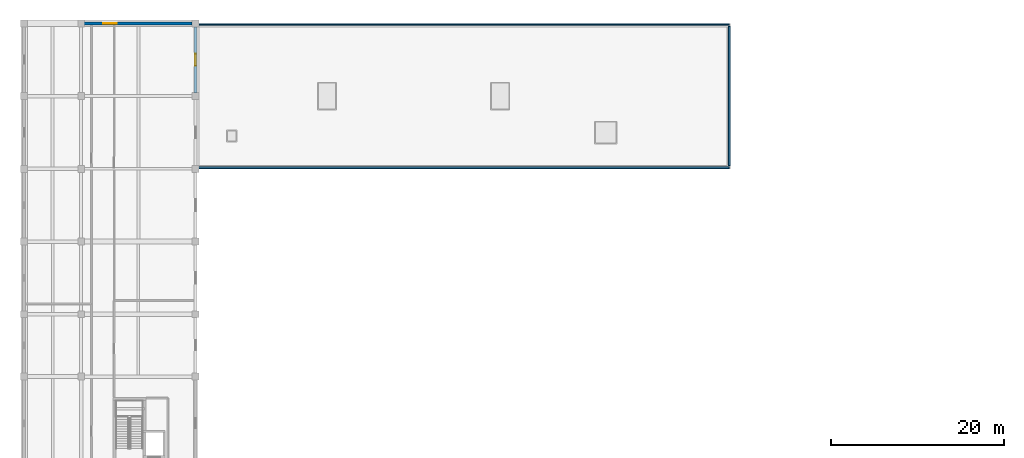
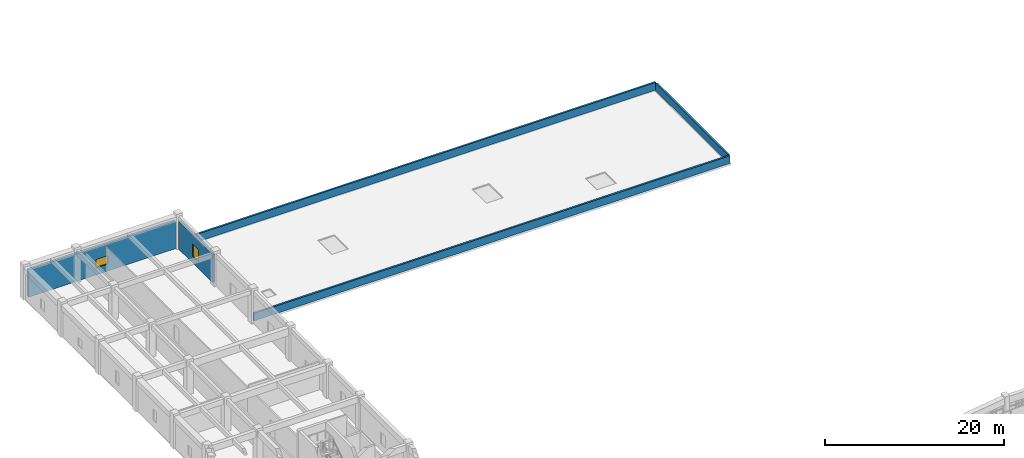
# One storey, part 52 of 65: 5 walls, 2 windows, 2 openings.
"""IFC4 building model written with IfcOpenShell, lengths in metres."""

from ifc_helpers import new_model, si_unit, direction, frame, frame_2d, origin, place, context, subcontext, project, spatial, rectangle, extrude, material, layer, layer_set, type_object, element, fill, save


model = new_model("IFC4")

# Units and contexts
model_context = context("Model", 3, precision=1e-05, world=origin(), true_north=direction((0.0, 1.0)))
body_context = subcontext(model_context, "Body", "Model", "MODEL_VIEW")
ifc_project = project(units=[si_unit("LENGTHUNIT", "METRE"), si_unit("AREAUNIT", "SQUARE_METRE"), si_unit("VOLUMEUNIT", "CUBIC_METRE"), si_unit("PLANEANGLEUNIT", "RADIAN"), si_unit("MASSUNIT", "GRAM", prefix="KILO")], contexts=[model_context])

# Site, building, storey
site_placement = place(None, origin())
site = spatial("IfcSite", under=ifc_project, at=site_placement, CompositionType="ELEMENT")
building_placement = place(site_placement, origin())
building = spatial("IfcBuilding", under=site, at=building_placement, Name="Miralva Faculty of Natural Sciences", CompositionType="ELEMENT")
storey_placement = place(building_placement, frame((0.0, 0.0, 10.199951171875)))
storey = spatial("IfcBuildingStorey", under=building, at=storey_placement, Name="L02", CompositionType="ELEMENT", Elevation=10.199951171875)

# Walls
ifc_material_1 = material(Name="Precast concrete C40/50", Category="concrete")
ifc_layer_1 = layer(ifc_material_1, 0.22998046875, Name="WL-PA01")
ifc_layer_set_1 = layer_set([ifc_layer_1], Name="Precast concrete C40/50")
wall_type_1 = type_object("IfcWallType", Name="WL-PA01", PredefinedType="PARAPET", material=ifc_layer_set_1)
wall_1_placement = place(storey_placement, frame((22.919921875, 100.320068359375, 0.0), z_axis=(0.0, 0.0, 1.0), x_axis=(1.0, 0.0, 0.0)))
element("IfcWall", 1, at=wall_1_placement, inside=storey, type_object=wall_type_1, Name="Roof parapet L02-4", PredefinedType="PARAPET", context=body_context, shape_type="SweptSolid", body=[
    extrude(rectangle(XDim=61.56005859375, YDim=0.22998046875, at=frame_2d((30.780029296875, 0.0))), origin(), (0.0, 0.0, 1.0), 1.050048828125),
])
wall_2_placement = place(storey_placement, frame((84.47998046875, 100.550048828125, 0.0), z_axis=(0.0, 0.0, 1.0), x_axis=(0.0, 1.0, 0.0)))
element("IfcWall", 2, at=wall_2_placement, inside=storey, type_object=wall_type_1, Name="Roof parapet L02-5", PredefinedType="PARAPET", context=body_context, shape_type="SweptSolid", body=[
    extrude(rectangle(XDim=16.099853515625, YDim=0.22998046875, at=frame_2d((8.0498046875, 0.0))), origin(), (0.0, 0.0, 1.0), 1.050048828125),
])
wall_3_placement = place(storey_placement, frame((22.919921875, 116.8798828125, 0.0), z_axis=(0.0, 0.0, 1.0), x_axis=(1.0, 0.0, 0.0)))
element("IfcWall", 3, at=wall_3_placement, inside=storey, type_object=wall_type_1, Name="Roof parapet L02-6", PredefinedType="PARAPET", context=body_context, shape_type="SweptSolid", body=[
    extrude(rectangle(XDim=61.56005859375, YDim=0.22998046875, at=frame_2d((30.780029296875, 0.0))), origin(), (0.0, 0.0, 1.0), 1.050048828125),
])

# Wall, opening, window
ifc_layer_2 = layer(ifc_material_1, 0.320068359375, Name="WL-WT02")
ifc_layer_set_2 = layer_set([ifc_layer_2], Name="Precast concrete C40/50")
wall_type_2 = type_object("IfcWallType", Name="WL-WT02", PredefinedType="SOLIDWALL", material=ifc_layer_set_2)
wall_4_placement = place(storey_placement, frame((22.800048828125, 108.985107421875, 0.0), z_axis=(0.0, 0.0, 1.0), x_axis=(0.0, 1.0, 0.0)))
wall_4 = element("IfcWall", 4, at=wall_4_placement, inside=storey, type_object=wall_type_2, Name="Exterior wall L02-231", PredefinedType="SOLIDWALL", context=body_context, shape_type="SweptSolid", body=[
    extrude(rectangle(XDim=7.6298828125, YDim=0.320068359375, at=frame_2d((3.81494140625, 0.0))), origin(), (0.0, 0.0, 1.0), 3.824951171875),
])
opening_1_placement = place(wall_4_placement, frame((3.139892578125, 0.0, 0.89990234375)))
opening_1 = element("IfcOpeningElement", 5, at=opening_1_placement, cuts=wall_4, Name="Opening W-56", PredefinedType="OPENING", context=body_context, shape_type="SweptSolid", body=[
    extrude(rectangle(XDim=1.35009765625, YDim=1.75, at=frame_2d((0.675048828125, 0.875))), frame((0.0, 0.169921875, 0.0), z_axis=(0.0, -1.0, 0.0), x_axis=(1.0, 0.0, 0.0)), (0.0, 0.0, 1.0), 0.340087890625),
])
ifc_material_2 = material(Name="Laminated solar-control glass", Category="glass")
window_type_1 = type_object("IfcWindowType", Name="WN-W56", PartitioningType="DOUBLE_PANEL_VERTICAL", PredefinedType="WINDOW", material=ifc_material_2)
window_1_placement = place(opening_1_placement, frame((1.35009765625, 0.0, 0.0), z_axis=(0.0, 0.0, 1.0), x_axis=(-1.0, 0.0, 0.0)))
window_1 = element("IfcWindow", 6, at=window_1_placement, inside=storey, type_object=window_type_1, Name="Window W-56 L02-168", OverallHeight=1.75, OverallWidth=1.35009765625, PartitioningType="DOUBLE_PANEL_VERTICAL", PredefinedType="WINDOW", context=body_context, shape_type="SweptSolid", body=[
    extrude(rectangle(XDim=1.35009765625, YDim=1.75, at=frame_2d((0.675048828125, 0.875))), frame((0.0, 0.030029296875, 0.0), z_axis=(0.0, -1.0, 0.0), x_axis=(1.0, 0.0, 0.0)), (0.0, 0.0, 1.0), 0.06005859375),
])
fill(opening_1, window_1)

wall_5_placement = place(storey_placement, frame((3.385009765625, 117.0, 0.0), z_axis=(0.0, 0.0, 1.0), x_axis=(1.0, 0.0, 0.0)))
wall_5 = element("IfcWall", 7, at=wall_5_placement, inside=storey, type_object=wall_type_2, Name="Exterior wall L02-232", PredefinedType="SOLIDWALL", context=body_context, shape_type="SweptSolid", body=[
    extrude(rectangle(XDim=19.030029296875, YDim=0.320068359375, at=frame_2d((9.51513671875, 0.0))), origin(), (0.0, 0.0, 1.0), 3.775146484375),
])
opening_2_placement = place(wall_5_placement, frame((8.739990234375, 0.0, 0.949951171875)))
opening_2 = element("IfcOpeningElement", 8, at=opening_2_placement, cuts=wall_5, Name="Opening W-57", PredefinedType="OPENING", context=body_context, shape_type="SweptSolid", body=[
    extrude(rectangle(XDim=1.550048828125, YDim=1.14990234375, at=frame_2d((0.77490234375, 0.574951171875))), frame((0.0, 0.169921875, 0.0), z_axis=(0.0, -1.0, 0.0), x_axis=(1.0, 0.0, 0.0)), (0.0, 0.0, 1.0), 0.340087890625),
])
window_type_2 = type_object("IfcWindowType", Name="WN-W57", PartitioningType="DOUBLE_PANEL_VERTICAL", PredefinedType="WINDOW", material=ifc_material_2)
window_2_placement = place(opening_2_placement, origin())
window_2 = element("IfcWindow", 9, at=window_2_placement, inside=storey, type_object=window_type_2, Name="Window W-57 L02-169", OverallHeight=1.14990234375, OverallWidth=1.550048828125, PartitioningType="DOUBLE_PANEL_VERTICAL", PredefinedType="WINDOW", context=body_context, shape_type="SweptSolid", body=[
    extrude(rectangle(XDim=1.550048828125, YDim=1.14990234375, at=frame_2d((0.77490234375, 0.574951171875))), frame((0.0, 0.030029296875, 0.0), z_axis=(0.0, -1.0, 0.0), x_axis=(1.0, 0.0, 0.0)), (0.0, 0.0, 1.0), 0.06005859375),
])
fill(opening_2, window_2)

save(model, "model.ifc")
